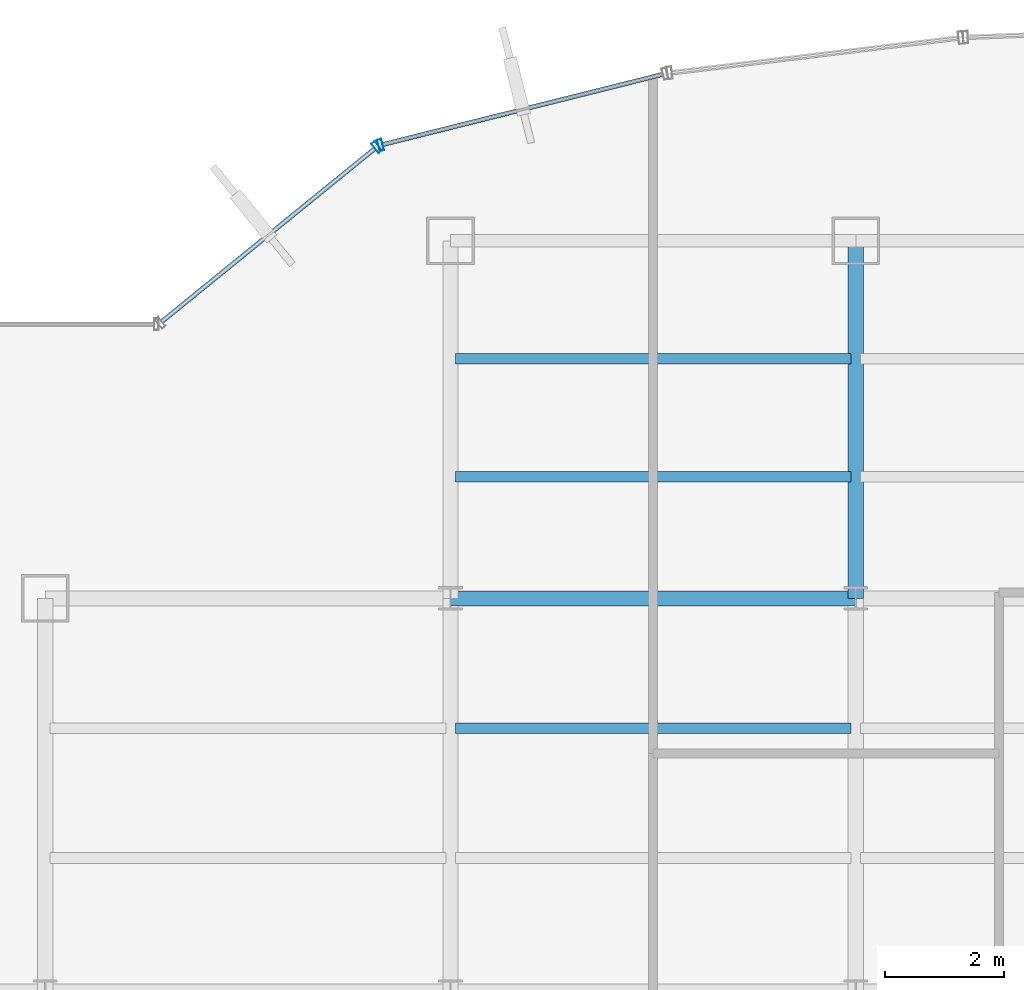
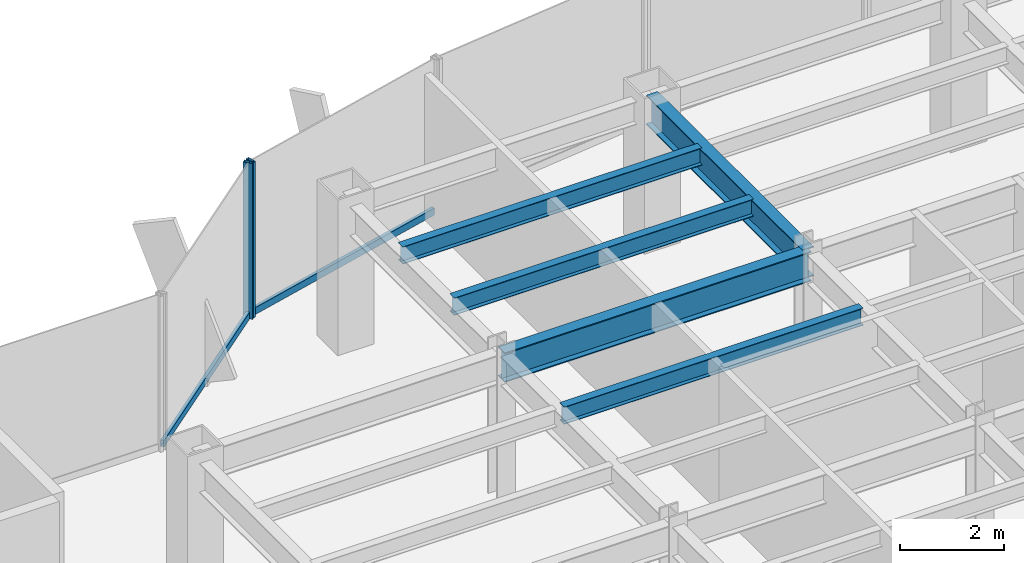
# One storey, part 14 of 26: 5 beams, 4 members, 2 elements without a shape of their own.
"""IFC4 building model written with IfcOpenShell, lengths in metres."""

from ifc_helpers import new_model, si_unit, derived_unit, direction, frame, origin, origin_2d, place, context, subcontext, project, spatial, hollow_rectangle, i_section, extrude, source, transform, mapped, material, material_profile, profile_set, type_object, element, aggregate, save


model = new_model("IFC4")

# Units and contexts
model_context = context("Model", 3, precision=1e-05, world=origin(), true_north=direction((0.0, 1.0)))
body_context = subcontext(model_context, "Body", "Model", "MODEL_VIEW")
ifc_project = project(units=[si_unit("LENGTHUNIT", "METRE"), si_unit("AREAUNIT", "SQUARE_METRE"), si_unit("VOLUMEUNIT", "CUBIC_METRE"), si_unit("PLANEANGLEUNIT", "RADIAN"), si_unit("MASSUNIT", "GRAM", prefix="KILO"), derived_unit("THERMALTRANSMITTANCEUNIT", [(si_unit("POWERUNIT", "WATT"), 1), (si_unit("LENGTHUNIT", "METRE"), -2), (si_unit("THERMODYNAMICTEMPERATUREUNIT", "KELVIN"), -1)])], contexts=[model_context])

# Site, building, storey
site_placement = place(None, origin())
site = spatial("IfcSite", under=ifc_project, at=site_placement, CompositionType="ELEMENT")
building_placement = place(site_placement, origin())
building = spatial("IfcBuilding", under=site, at=building_placement, Name="Skarnbrae Concourse Arena and Tower", CompositionType="ELEMENT")
storey_placement = place(building_placement, frame((0.0, 0.0, 114.199951171875)))
storey = spatial("IfcBuildingStorey", under=building, at=storey_placement, Name="L28", CompositionType="ELEMENT", Elevation=114.199951171875)

# Beams
ifc_material_1 = material(Name="Steel CSA G40.21 350W", Category="steel")
ifc_material_profile_1 = material_profile(ifc_material_1, i_section(OverallWidth=0.256103515625, OverallDepth=0.693115234375, WebThickness=0.014404296875, FlangeThickness=0.023681640625, at=origin_2d()), Name="W690X170")
ifc_profile_set_1 = profile_set([ifc_material_profile_1], Name="Steel CSA G40.21 350W")
beam_type_1 = type_object("IfcBeamType", Name="BM-GIRD-W690X170", PredefinedType="BEAM", material=ifc_profile_set_1)
shared_shape_1 = source(origin(), body_context, "Body", "SweptSolid", [
    extrude(i_section(OverallWidth=0.256103515625, OverallDepth=0.693115234375, WebThickness=0.014404296875, FlangeThickness=0.023681640625, at=origin_2d()), origin(), (0.0, 0.0, 1.0), 6.800048828125),
])
beam_1_placement = place(storey_placement, frame((14.39990234375, 34.39990234375, 3.053466796875), z_axis=(1.0, 0.0, 0.0), x_axis=(0.0, 1.0, 0.0)))
element("IfcBeam", 1, at=beam_1_placement, inside=storey, type_object=beam_type_1, Name="L28 Primary E-W girder Y34.4-2", PredefinedType="BEAM", context=body_context, shape_type="MappedRepresentation", body=[
    mapped(shared_shape_1, transform((0.0, 0.0, 0.0))),
])
shared_shape_2 = source(origin(), body_context, "Body", "SweptSolid", [
    extrude(i_section(OverallWidth=0.256103515625, OverallDepth=0.693115234375, WebThickness=0.014404296875, FlangeThickness=0.023681640625, at=origin_2d()), origin(), (0.0, 0.0, 1.0), 6.0),
])
beam_2_placement = place(storey_placement, frame((21.199951171875, 34.39990234375, 3.053466796875), z_axis=(0.0, 1.0, 0.0), x_axis=(-1.0, 0.0, 0.0)))
element("IfcBeam", 2, at=beam_2_placement, inside=storey, type_object=beam_type_1, Name="L28 Primary N-S girder X21.2-4", PredefinedType="BEAM", context=body_context, shape_type="MappedRepresentation", body=[
    mapped(shared_shape_2, transform((0.0, 0.0, 0.0))),
])
ifc_material_profile_2 = material_profile(ifc_material_1, i_section(OverallWidth=0.177978515625, OverallDepth=0.406982421875, WebThickness=0.0078125, FlangeThickness=0.0126953125, at=origin_2d()), Name="W410X60")
ifc_profile_set_2 = profile_set([ifc_material_profile_2], Name="Steel CSA G40.21 350W")
beam_type_2 = type_object("IfcBeamType", Name="BM-JOIST-W410X60", PredefinedType="JOIST", material=ifc_profile_set_2)
shared_shape_3 = source(origin(), body_context, "Body", "SweptSolid", [
    extrude(i_section(OverallWidth=0.177978515625, OverallDepth=0.406982421875, WebThickness=0.0078125, FlangeThickness=0.0126953125, at=origin_2d()), origin(), (0.0, 0.0, 1.0), 6.64013671875),
])
for number, where, z_axis, x_axis, name in (
    (3, (14.47998046875, 32.221923828125, 3.196533203125), (1.0, 0.0, 0.0), (0.0, 1.0, 0.0), "L28 Secondary floor joist 3.2.2"),
    (4, (14.47998046875, 36.43994140625, 3.196533203125), (1.0, 0.0, 0.0), (0.0, 1.0, 0.0), "L28 Secondary floor joist 4.1.1"),
    (5, (14.47998046875, 38.419921875, 3.196533203125), (1.0, 0.0, 0.0), (0.0, 1.0, 0.0), "L28 Secondary floor joist 4.2.1"),
):
    element("IfcBeam", number, at=place(storey_placement, frame(where, z_axis=z_axis, x_axis=x_axis)), inside=storey, type_object=beam_type_2, Name=name, PredefinedType="JOIST", context=body_context, shape_type="MappedRepresentation", body=[
        mapped(shared_shape_3, transform((0.0, 0.0, 0.0))),
    ])

# Curtain wall, member
ifc_material_2 = material(Name="Bronze anodised aluminium 6063-T6", Category="aluminium")
curtain_wall_type = type_object("IfcCurtainWallType", Name="CW-SYS-04-MIDZONE", PredefinedType="USERDEFINED", material=ifc_material_2)
curtain_wall_1_placement = place(storey_placement, origin())
curtain_wall_1 = element("IfcCurtainWall", 6, at=curtain_wall_1_placement, inside=storey, type_object=curtain_wall_type, Name="L28 Unitised curtain wall CW-L28-E14", ObjectType="UNITISED CURTAIN WALL", PredefinedType="USERDEFINED")
ifc_material_profile_3 = material_profile(ifc_material_2, hollow_rectangle(XDim=0.074951171875, YDim=0.195068359375, WallThickness=0.00439453125, at=origin_2d()), Name="ALU-MULL-75X195")
ifc_profile_set_3 = profile_set([ifc_material_profile_3], Name="Bronze anodised aluminium 6063-T6")
member_type_1 = type_object("IfcMemberType", Name="CWM-CW-04", PredefinedType="MULLION", material=ifc_profile_set_3)
shared_shape_4 = source(origin(), body_context, "Body", "SweptSolid", [
    extrude(hollow_rectangle(XDim=0.074951171875, YDim=0.195068359375, WallThickness=0.00439453125, at=origin_2d()), origin(), (0.0, 0.0, 1.0), 3.650146484375),
])
member_1_placement = place(storey_placement, frame((13.225341796875, 42.005126953125, 0.0), z_axis=(0.0, 0.0, 1.0), x_axis=(-0.969903046166, -0.243491439351, 0.0)))
member_1 = element("IfcMember", 7, at=member_1_placement, type_object=member_type_1, Name="CW-L28-E14 Mullion 2", PredefinedType="MULLION", context=body_context, shape_type="MappedRepresentation", body=[
    mapped(shared_shape_4, transform((0.0, 0.0, 0.0))),
])

# Curtain wall, members
curtain_wall_2_placement = place(storey_placement, origin())
curtain_wall_2 = element("IfcCurtainWall", 8, at=curtain_wall_2_placement, inside=storey, type_object=curtain_wall_type, Name="L28 Unitised curtain wall CW-L28-E15", ObjectType="UNITISED CURTAIN WALL", PredefinedType="USERDEFINED")
member_2_placement = place(storey_placement, frame((13.159912109375, 41.972412109375, 0.0), z_axis=(0.0, 0.0, 1.0), x_axis=(-0.776241200471, -0.630436038542, 0.0)))
member_2 = element("IfcMember", 9, at=member_2_placement, type_object=member_type_1, Name="CW-L28-E15 Mullion 1", PredefinedType="MULLION", context=body_context, shape_type="MappedRepresentation", body=[
    mapped(shared_shape_4, transform((0.0, 0.0, 0.0))),
])
ifc_material_profile_4 = material_profile(ifc_material_2, hollow_rectangle(XDim=0.074951171875, YDim=0.159912109375, WallThickness=0.00439453125, at=origin_2d()), Name="ALU-TRAN-75X160")
ifc_profile_set_4 = profile_set([ifc_material_profile_4], Name="Bronze anodised aluminium 6063-T6")
member_type_2 = type_object("IfcMemberType", Name="CWT-CW-04", PredefinedType="USERDEFINED", material=ifc_profile_set_4)
shared_shape_5 = source(origin(), body_context, "Body", "SweptSolid", [
    extrude(hollow_rectangle(XDim=0.074951171875, YDim=0.159912109375, WallThickness=0.00439453125, at=origin_2d()), origin(), (0.0, 0.0, 1.0), 4.602294921875),
])
member_3_placement = place(storey_placement, frame((13.130615234375, 41.94873046875, 0.080078125), z_axis=(-0.776251906445, -0.630422856297, 0.0), x_axis=(0.630422856297, -0.776251906445, 0.0)))
member_3 = element("IfcMember", 10, at=member_3_placement, type_object=member_type_2, Name="CW-L28-E15 Transom 1", ObjectType="TRANSOM", PredefinedType="USERDEFINED", context=body_context, shape_type="MappedRepresentation", body=[
    mapped(shared_shape_5, transform((0.0, 0.0, 0.0))),
])
aggregate(curtain_wall_2, [member_2, member_3])

# Member
shared_shape_6 = source(origin(), body_context, "Body", "SweptSolid", [
    extrude(hollow_rectangle(XDim=0.074951171875, YDim=0.159912109375, WallThickness=0.00439453125, at=origin_2d()), origin(), (0.0, 0.0, 1.0), 4.84716796875),
])
member_4_placement = place(storey_placement, frame((17.963134765625, 43.194580078125, 0.080078125), z_axis=(-0.969907992238, -0.243471736744, 0.0), x_axis=(0.243471736744, -0.969907992238, 0.0)))
member_4 = element("IfcMember", 11, at=member_4_placement, type_object=member_type_2, Name="CW-L28-E14 Transom 1", ObjectType="TRANSOM", PredefinedType="USERDEFINED", context=body_context, shape_type="MappedRepresentation", body=[
    mapped(shared_shape_6, transform((0.0, 0.0, 0.0))),
])

aggregate(curtain_wall_1, [member_1, member_4])

save(model, "model.ifc")
